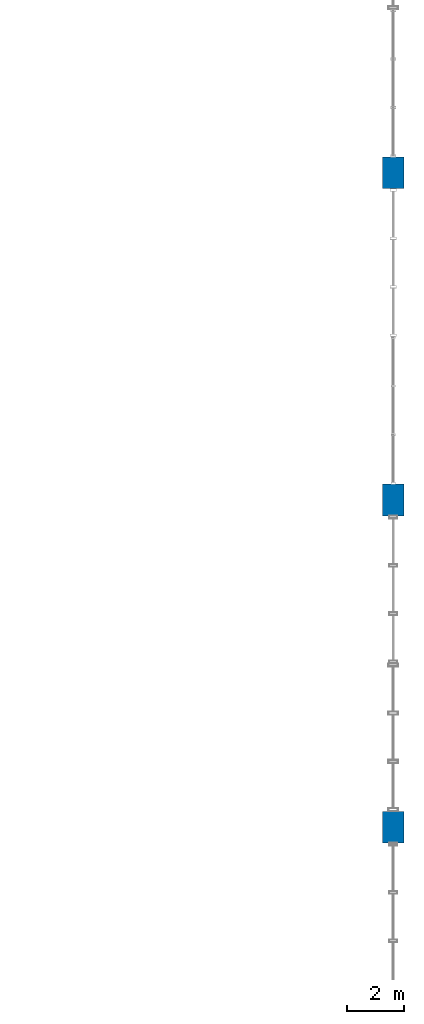
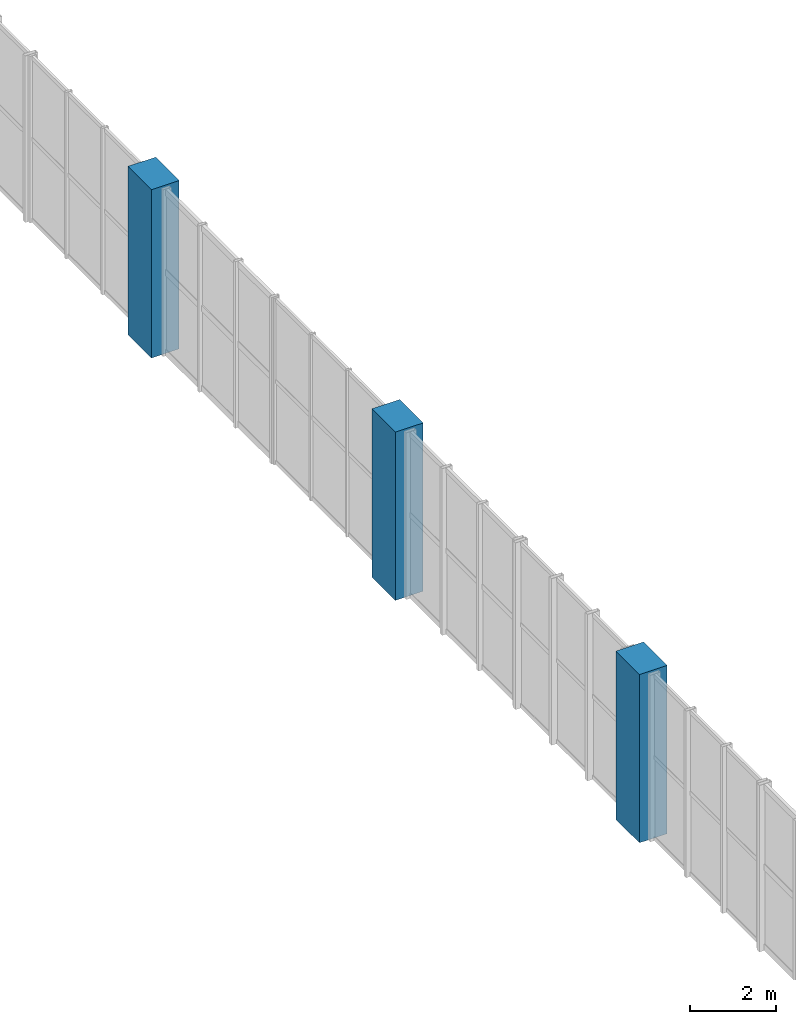
# One storey, part 13 of 106: 3 columns.
"""IFC4 building model written with IfcOpenShell, lengths in metres."""

from ifc_helpers import new_model, si_unit, direction, frame, origin, origin_2d, place, context, subcontext, project, spatial, rectangle, extrude, material, material_profile, profile_set, type_object, element, save


model = new_model("IFC4")

# Units and contexts
model_context = context("Model", 3, precision=1e-05, world=origin(), true_north=direction((0.0, 1.0)))
body_context = subcontext(model_context, "Body", "Model", "MODEL_VIEW")
ifc_project = project(units=[si_unit("LENGTHUNIT", "METRE"), si_unit("AREAUNIT", "SQUARE_METRE"), si_unit("VOLUMEUNIT", "CUBIC_METRE"), si_unit("PLANEANGLEUNIT", "RADIAN"), si_unit("MASSUNIT", "GRAM", prefix="KILO"), si_unit("POWERUNIT", "WATT"), si_unit("THERMODYNAMICTEMPERATUREUNIT", "KELVIN")], contexts=[model_context])

# Site, building, storey
site_placement = place(None, origin())
site = spatial("IfcSite", under=ifc_project, at=site_placement, CompositionType="ELEMENT")
building_placement = place(site_placement, origin())
building = spatial("IfcBuilding", under=site, at=building_placement, Name="Kelmbourne Parkland Aquatics Centre", CompositionType="ELEMENT")
storey_placement = place(building_placement, frame((0.0, 0.0, 5.39990234375)))
storey = spatial("IfcBuildingStorey", under=building, at=storey_placement, Name="L01", CompositionType="ELEMENT", Elevation=5.39990234375)

# Columns
ifc_material = material(Name="Concrete C40/50", Category="concrete")
ifc_material_profile = material_profile(ifc_material, rectangle(XDim=0.75, YDim=1.10009765625, at=origin_2d()), Name="RC 750x1100")
ifc_profile_set = profile_set([ifc_material_profile], Name="Concrete C40/50")
column_type = type_object("IfcColumnType", Name="COL-C03", PredefinedType="COLUMN", material=ifc_profile_set)
for number, where, z_axis, x_axis, name in (
    (1, (175.199951171875, 35.0, 0.0), (0.0, 0.0, 1.0), (1.0, 0.0, 0.0), "Structural column T-05 (L01)"),
    (2, (175.199951171875, 46.39990234375, 0.0), (0.0, 0.0, 1.0), (1.0, 0.0, 0.0), "Structural column T-06 (L01)"),
    (3, (175.199951171875, 57.800048828125, 0.0), (0.0, 0.0, 1.0), (1.0, 0.0, 0.0), "Structural column T-08 (L01)"),
):
    element("IfcColumn", number, at=place(storey_placement, frame(where, z_axis=z_axis, x_axis=x_axis)), inside=storey, type_object=column_type, Name=name, PredefinedType="COLUMN", context=body_context, shape_type="SweptSolid", body=[
        extrude(rectangle(XDim=0.75, YDim=1.10009765625, at=origin_2d()), origin(), (0.0, 0.0, 1.0), 4.800048828125),
    ])

save(model, "model.ifc")
